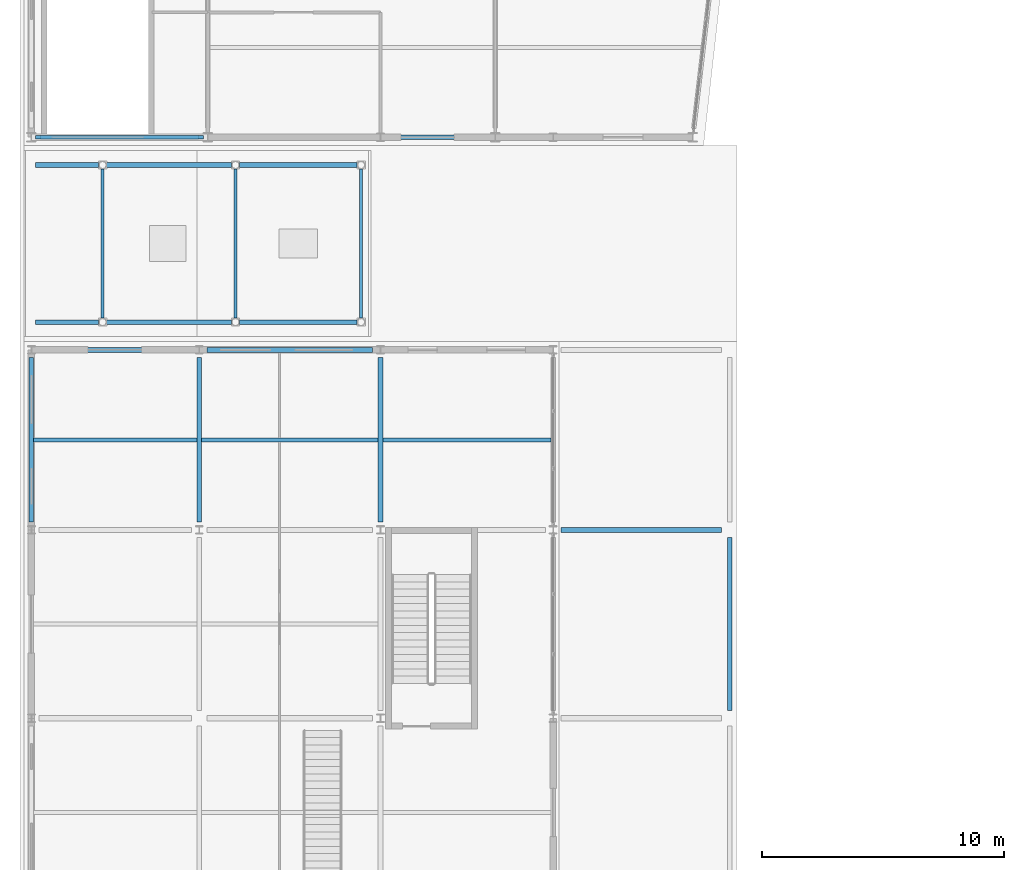
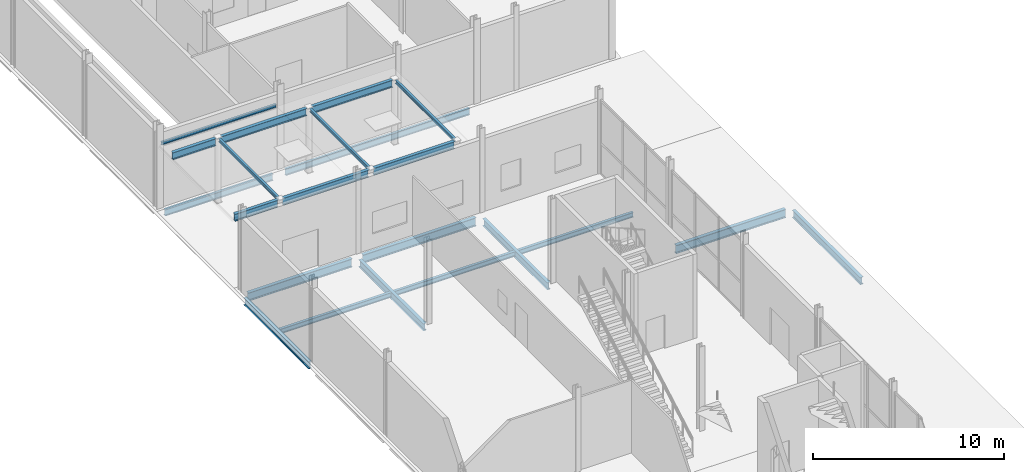
# One storey, part 20 of 83: 22 beams.
"""IFC4 building model written with IfcOpenShell, lengths in metres."""

from ifc_helpers import new_model, si_unit, direction, frame, origin, origin_2d, place, context, subcontext, project, spatial, i_section, extrude, material, material_profile, profile_set, type_object, element, save


model = new_model("IFC4")

# Units and contexts
model_context = context("Model", 3, precision=1e-05, world=origin(), true_north=direction((0.0, 1.0)))
body_context = subcontext(model_context, "Body", "Model", "MODEL_VIEW")
ifc_project = project(units=[si_unit("LENGTHUNIT", "METRE"), si_unit("AREAUNIT", "SQUARE_METRE"), si_unit("VOLUMEUNIT", "CUBIC_METRE"), si_unit("PLANEANGLEUNIT", "RADIAN"), si_unit("MASSUNIT", "GRAM", prefix="KILO")], contexts=[model_context])

# Site, building, storey
site_placement = place(None, origin())
site = spatial("IfcSite", under=ifc_project, at=site_placement, CompositionType="ELEMENT")
building_placement = place(site_placement, origin())
building = spatial("IfcBuilding", under=site, at=building_placement, Name="Quillay Park Conservatory", CompositionType="ELEMENT")
storey_placement = place(building_placement, origin())
storey = spatial("IfcBuildingStorey", under=building, at=storey_placement, Name="L00", CompositionType="ELEMENT", Elevation=0.0)

# Beams
ifc_material_1 = material(Name="Steel ASTM A992 Grade 50", Category="steel")
ifc_material_profile_1 = material_profile(ifc_material_1, i_section(OverallWidth=0.166015625, OverallDepth=0.31298828125, WebThickness=0.006591796875, FlangeThickness=0.01123046875, FilletRadius=0.010009765625, at=origin_2d()), Name="W310x45")
ifc_profile_set_1 = profile_set([ifc_material_profile_1], Name="Steel ASTM A992 Grade 50")
beam_type_1 = type_object("IfcBeamType", Name="COMPOSITE FLOOR JOIST W310 X45", PredefinedType="JOIST", material=ifc_profile_set_1)
beam_1_placement = place(storey_placement, frame((0.64599609375, 50.52490234375, -0.406494140625), z_axis=(1.0, 0.0, 0.0), x_axis=(0.0, 1.0, 0.0)))
element("IfcBeam", 1, at=beam_1_placement, inside=storey, type_object=beam_type_1, Name="L00 beam BM-V3J-1258", PredefinedType="JOIST", context=body_context, shape_type="SweptSolid", body=[
    extrude(i_section(OverallWidth=0.166015625, OverallDepth=0.31298828125, WebThickness=0.006591796875, FlangeThickness=0.01123046875, FilletRadius=0.010009765625, at=origin_2d()), origin(), (0.0, 0.0, 1.0), 6.758056640625),
])
beam_2_placement = place(storey_placement, frame((7.595947265625, 50.52490234375, -0.406494140625), z_axis=(1.0, 0.0, 0.0), x_axis=(0.0, 1.0, 0.0)))
element("IfcBeam", 2, at=beam_2_placement, inside=storey, type_object=beam_type_1, Name="L00 beam BM-V3J-1259", PredefinedType="JOIST", context=body_context, shape_type="SweptSolid", body=[
    extrude(i_section(OverallWidth=0.166015625, OverallDepth=0.31298828125, WebThickness=0.006591796875, FlangeThickness=0.01123046875, FilletRadius=0.010009765625, at=origin_2d()), origin(), (0.0, 0.0, 1.0), 7.30810546875),
])
beam_3_placement = place(storey_placement, frame((15.095947265625, 50.52490234375, -0.406494140625), z_axis=(1.0, 0.0, 0.0), x_axis=(0.0, 1.0, 0.0)))
element("IfcBeam", 3, at=beam_3_placement, inside=storey, type_object=beam_type_1, Name="L00 beam BM-V3J-1260", PredefinedType="JOIST", context=body_context, shape_type="SweptSolid", body=[
    extrude(i_section(OverallWidth=0.166015625, OverallDepth=0.31298828125, WebThickness=0.006591796875, FlangeThickness=0.01123046875, FilletRadius=0.010009765625, at=origin_2d()), origin(), (0.0, 0.0, 1.0), 6.9580078125),
])
ifc_material_2 = material(Name="Steel ASTM A992 Grade 50", Category="steel")
ifc_material_profile_2 = material_profile(ifc_material_2, i_section(OverallWidth=0.133056640625, OverallDepth=0.20703125, WebThickness=0.005859375, FlangeThickness=0.00830078125, FilletRadius=0.008056640625, at=origin_2d()), Name="W200x27")
ifc_profile_set_2 = profile_set([ifc_material_profile_2], Name="Steel ASTM A992 Grade 50")
beam_type_2 = type_object("IfcBeamType", Name="OPENING LINTEL BEAM W200 X27", PredefinedType="LINTEL", material=ifc_profile_set_2)
for number, where, z_axis, x_axis, name in (
    (4, (3.5, 55.56201171875, 4.03662109375), (0.0, 1.0, 0.0), (-1.0, 0.0, 0.0), "L00 beam BM-EC1T-1595"),
    (5, (9.0, 55.56201171875, 4.03662109375), (0.0, 1.0, 0.0), (-1.0, 0.0, 0.0), "L00 beam BM-EC1T-1596"),
    (6, (14.199951171875, 55.56201171875, 4.03662109375), (0.0, 1.0, 0.0), (-1.0, 0.0, 0.0), "L00 beam BM-EC1T-1597"),
):
    element("IfcBeam", number, at=place(storey_placement, frame(where, z_axis=z_axis, x_axis=x_axis)), inside=storey, type_object=beam_type_2, Name=name, PredefinedType="LINTEL", context=body_context, shape_type="SweptSolid", body=[
        extrude(i_section(OverallWidth=0.133056640625, OverallDepth=0.20703125, WebThickness=0.005859375, FlangeThickness=0.00830078125, FilletRadius=0.008056640625, at=origin_2d()), origin(), (0.0, 0.0, 1.0), 6.176025390625),
    ])
beam_4_placement = place(storey_placement, frame((0.72509765625, 63.050048828125, 3.99658203125), z_axis=(1.0, 0.0, 0.0), x_axis=(0.0, 1.0, 0.0)))
element("IfcBeam", 7, at=beam_4_placement, inside=storey, type_object=beam_type_2, Name="L00 beam BM-LNT-1598", PredefinedType="LINTEL", context=body_context, shape_type="SweptSolid", body=[
    extrude(i_section(OverallWidth=0.133056640625, OverallDepth=0.20703125, WebThickness=0.005859375, FlangeThickness=0.00830078125, FilletRadius=0.008056640625, at=origin_2d()), origin(), (0.0, 0.0, 1.0), 6.949951171875),
])
ifc_material_3 = material(Name="Steel ASTM A992 Grade 50", Category="steel")
ifc_material_profile_3 = material_profile(ifc_material_3, i_section(OverallWidth=0.179931640625, OverallDepth=0.4130859375, WebThickness=0.009765625, FlangeThickness=0.01611328125, FilletRadius=0.011962890625, at=origin_2d()), Name="W410x74")
ifc_profile_set_3 = profile_set([ifc_material_profile_3], Name="Steel ASTM A992 Grade 50")
beam_type_3 = type_object("IfcBeamType", Name="PERIMETER SPANDREL BEAM W410 X74", PredefinedType="SPANDREL", material=ifc_profile_set_3)
beam_5_placement = place(storey_placement, frame((0.925048828125, 63.050048828125, -0.491455078125), z_axis=(1.0, 0.0, 0.0), x_axis=(0.0, 1.0, 0.0)))
element("IfcBeam", 8, at=beam_5_placement, inside=storey, type_object=beam_type_3, Name="L00 beam BM-SP-0050", PredefinedType="SPANDREL", context=body_context, shape_type="SweptSolid", body=[
    extrude(i_section(OverallWidth=0.179931640625, OverallDepth=0.4130859375, WebThickness=0.009765625, FlangeThickness=0.01611328125, FilletRadius=0.011962890625, at=origin_2d()), origin(), (0.0, 0.0, 1.0), 6.550048828125),
])
beam_6_placement = place(storey_placement, frame((8.22509765625, 63.050048828125, -0.45654296875), z_axis=(1.0, 0.0, 0.0), x_axis=(0.0, 1.0, 0.0)))
element("IfcBeam", 9, at=beam_6_placement, inside=storey, type_object=beam_type_3, Name="L00 beam BM-SP-0051", PredefinedType="SPANDREL", context=body_context, shape_type="SweptSolid", body=[
    extrude(i_section(OverallWidth=0.179931640625, OverallDepth=0.4130859375, WebThickness=0.009765625, FlangeThickness=0.01611328125, FilletRadius=0.011962890625, at=origin_2d()), origin(), (0.0, 0.0, 1.0), 11.14990234375),
])
ifc_material_4 = material(Name="Steel ASTM A992 Grade 50", Category="steel")
ifc_material_profile_4 = material_profile(ifc_material_4, i_section(OverallWidth=0.19189453125, OverallDepth=0.462890625, WebThickness=0.010498046875, FlangeThickness=0.017578125, FilletRadius=0.012939453125, at=origin_2d()), Name="W460x89")
ifc_profile_set_4 = profile_set([ifc_material_profile_4], Name="Steel ASTM A992 Grade 50")
beam_type_4 = type_object("IfcBeamType", Name="PRIMARY FLOOR GIRDER W460 X89", PredefinedType="BEAM", material=ifc_profile_set_4)
for number, where, z_axis, x_axis, name in (
    (10, (0.550048828125, 47.125, -0.4814453125), (0.0, 1.0, 0.0), (-1.0, 0.0, 0.0), "L00 beam BM-V3Y-1214"),
    (11, (7.5, 47.125, -0.4814453125), (0.0, 1.0, 0.0), (-1.0, 0.0, 0.0), "L00 beam BM-V3Y-1221"),
    (12, (15.0, 47.125, -0.4814453125), (0.0, 1.0, 0.0), (-1.0, 0.0, 0.0), "L00 beam BM-V3Y-1228"),
):
    element("IfcBeam", number, at=place(storey_placement, frame(where, z_axis=z_axis, x_axis=x_axis)), inside=storey, type_object=beam_type_4, Name=name, PredefinedType="BEAM", context=body_context, shape_type="SweptSolid", body=[
        extrude(i_section(OverallWidth=0.19189453125, OverallDepth=0.462890625, WebThickness=0.010498046875, FlangeThickness=0.017578125, FilletRadius=0.012939453125, at=origin_2d()), origin(), (0.0, 0.0, 1.0), 6.800048828125),
    ])
beam_7_placement = place(storey_placement, frame((29.449951171875, 39.324951171875, -0.4814453125), z_axis=(0.0, 1.0, 0.0), x_axis=(-1.0, 0.0, 0.0)))
element("IfcBeam", 13, at=beam_7_placement, inside=storey, type_object=beam_type_4, Name="L00 beam BM-V3Y-1241", PredefinedType="BEAM", context=body_context, shape_type="SweptSolid", body=[
    extrude(i_section(OverallWidth=0.19189453125, OverallDepth=0.462890625, WebThickness=0.010498046875, FlangeThickness=0.017578125, FilletRadius=0.012939453125, at=origin_2d()), origin(), (0.0, 0.0, 1.0), 7.150146484375),
])
beam_8_placement = place(storey_placement, frame((0.72998046875, 55.39990234375, 3.908447265625), z_axis=(1.0, 0.0, 0.0), x_axis=(0.0, 1.0, 0.0)))
element("IfcBeam", 14, at=beam_8_placement, inside=storey, type_object=beam_type_4, Name="L00 beam BM-EC1-1589", PredefinedType="BEAM", context=body_context, shape_type="SweptSolid", body=[
    extrude(i_section(OverallWidth=0.19189453125, OverallDepth=0.462890625, WebThickness=0.010498046875, FlangeThickness=0.017578125, FilletRadius=0.012939453125, at=origin_2d()), origin(), (0.0, 0.0, 1.0), 2.60791015625),
])
beam_9_placement = place(storey_placement, frame((3.662109375, 55.39990234375, 3.908447265625), z_axis=(1.0, 0.0, 0.0), x_axis=(0.0, 1.0, 0.0)))
element("IfcBeam", 15, at=beam_9_placement, inside=storey, type_object=beam_type_4, Name="L00 beam BM-EC1-1590", PredefinedType="BEAM", context=body_context, shape_type="SweptSolid", body=[
    extrude(i_section(OverallWidth=0.19189453125, OverallDepth=0.462890625, WebThickness=0.010498046875, FlangeThickness=0.017578125, FilletRadius=0.012939453125, at=origin_2d()), origin(), (0.0, 0.0, 1.0), 5.17578125),
])
beam_10_placement = place(storey_placement, frame((9.162109375, 55.39990234375, 3.908447265625), z_axis=(1.0, 0.0, 0.0), x_axis=(0.0, 1.0, 0.0)))
element("IfcBeam", 16, at=beam_10_placement, inside=storey, type_object=beam_type_4, Name="L00 beam BM-EC1-1591", PredefinedType="BEAM", context=body_context, shape_type="SweptSolid", body=[
    extrude(i_section(OverallWidth=0.19189453125, OverallDepth=0.462890625, WebThickness=0.010498046875, FlangeThickness=0.017578125, FilletRadius=0.012939453125, at=origin_2d()), origin(), (0.0, 0.0, 1.0), 4.8759765625),
])
beam_11_placement = place(storey_placement, frame((0.72998046875, 61.89990234375, 3.908447265625), z_axis=(1.0, 0.0, 0.0), x_axis=(0.0, 1.0, 0.0)))
element("IfcBeam", 17, at=beam_11_placement, inside=storey, type_object=beam_type_4, Name="L00 beam BM-EC1-1592", PredefinedType="BEAM", context=body_context, shape_type="SweptSolid", body=[
    extrude(i_section(OverallWidth=0.19189453125, OverallDepth=0.462890625, WebThickness=0.010498046875, FlangeThickness=0.017578125, FilletRadius=0.012939453125, at=origin_2d()), origin(), (0.0, 0.0, 1.0), 2.60791015625),
])
beam_12_placement = place(storey_placement, frame((3.662109375, 61.89990234375, 3.908447265625), z_axis=(1.0, 0.0, 0.0), x_axis=(0.0, 1.0, 0.0)))
element("IfcBeam", 18, at=beam_12_placement, inside=storey, type_object=beam_type_4, Name="L00 beam BM-EC1-1593", PredefinedType="BEAM", context=body_context, shape_type="SweptSolid", body=[
    extrude(i_section(OverallWidth=0.19189453125, OverallDepth=0.462890625, WebThickness=0.010498046875, FlangeThickness=0.017578125, FilletRadius=0.012939453125, at=origin_2d()), origin(), (0.0, 0.0, 1.0), 5.17578125),
])
beam_13_placement = place(storey_placement, frame((9.162109375, 61.89990234375, 3.908447265625), z_axis=(1.0, 0.0, 0.0), x_axis=(0.0, 1.0, 0.0)))
element("IfcBeam", 19, at=beam_13_placement, inside=storey, type_object=beam_type_4, Name="L00 beam BM-EC1-1594", PredefinedType="BEAM", context=body_context, shape_type="SweptSolid", body=[
    extrude(i_section(OverallWidth=0.19189453125, OverallDepth=0.462890625, WebThickness=0.010498046875, FlangeThickness=0.017578125, FilletRadius=0.012939453125, at=origin_2d()), origin(), (0.0, 0.0, 1.0), 4.8759765625),
])
ifc_material_5 = material(Name="Steel ASTM A992 Grade 50", Category="steel")
ifc_material_profile_5 = material_profile(ifc_material_5, i_section(OverallWidth=0.2109375, OverallDepth=0.5390625, WebThickness=0.01171875, FlangeThickness=0.018798828125, FilletRadius=0.013916015625, at=origin_2d()), Name="W530x109")
ifc_profile_set_5 = profile_set([ifc_material_profile_5], Name="Steel ASTM A992 Grade 50")
beam_type_5 = type_object("IfcBeamType", Name="PRIMARY FLOOR GIRDER W530 X109", PredefinedType="BEAM", material=ifc_profile_set_5)
beam_14_placement = place(storey_placement, frame((22.47509765625, 46.800048828125, -0.51953125), z_axis=(1.0, 0.0, 0.0), x_axis=(0.0, 1.0, 0.0)))
element("IfcBeam", 20, at=beam_14_placement, inside=storey, type_object=beam_type_5, Name="L00 beam BM-V3X-1203", PredefinedType="BEAM", context=body_context, shape_type="SweptSolid", body=[
    extrude(i_section(OverallWidth=0.2109375, OverallDepth=0.5390625, WebThickness=0.01171875, FlangeThickness=0.018798828125, FilletRadius=0.013916015625, at=origin_2d()), origin(), (0.0, 0.0, 1.0), 6.64990234375),
])
beam_15_placement = place(storey_placement, frame((0.875, 54.25, -0.51953125), z_axis=(1.0, 0.0, 0.0), x_axis=(0.0, 1.0, 0.0)))
element("IfcBeam", 21, at=beam_15_placement, inside=storey, type_object=beam_type_5, Name="L00 beam BM-V3X-1204", PredefinedType="BEAM", context=body_context, shape_type="SweptSolid", body=[
    extrude(i_section(OverallWidth=0.2109375, OverallDepth=0.5390625, WebThickness=0.01171875, FlangeThickness=0.018798828125, FilletRadius=0.013916015625, at=origin_2d()), origin(), (0.0, 0.0, 1.0), 6.300048828125),
])
beam_16_placement = place(storey_placement, frame((7.824951171875, 54.25, -0.51953125), z_axis=(1.0, 0.0, 0.0), x_axis=(0.0, 1.0, 0.0)))
element("IfcBeam", 22, at=beam_16_placement, inside=storey, type_object=beam_type_5, Name="L00 beam BM-V3X-1205", PredefinedType="BEAM", context=body_context, shape_type="SweptSolid", body=[
    extrude(i_section(OverallWidth=0.2109375, OverallDepth=0.5390625, WebThickness=0.01171875, FlangeThickness=0.018798828125, FilletRadius=0.013916015625, at=origin_2d()), origin(), (0.0, 0.0, 1.0), 6.85009765625),
])

save(model, "model.ifc")
